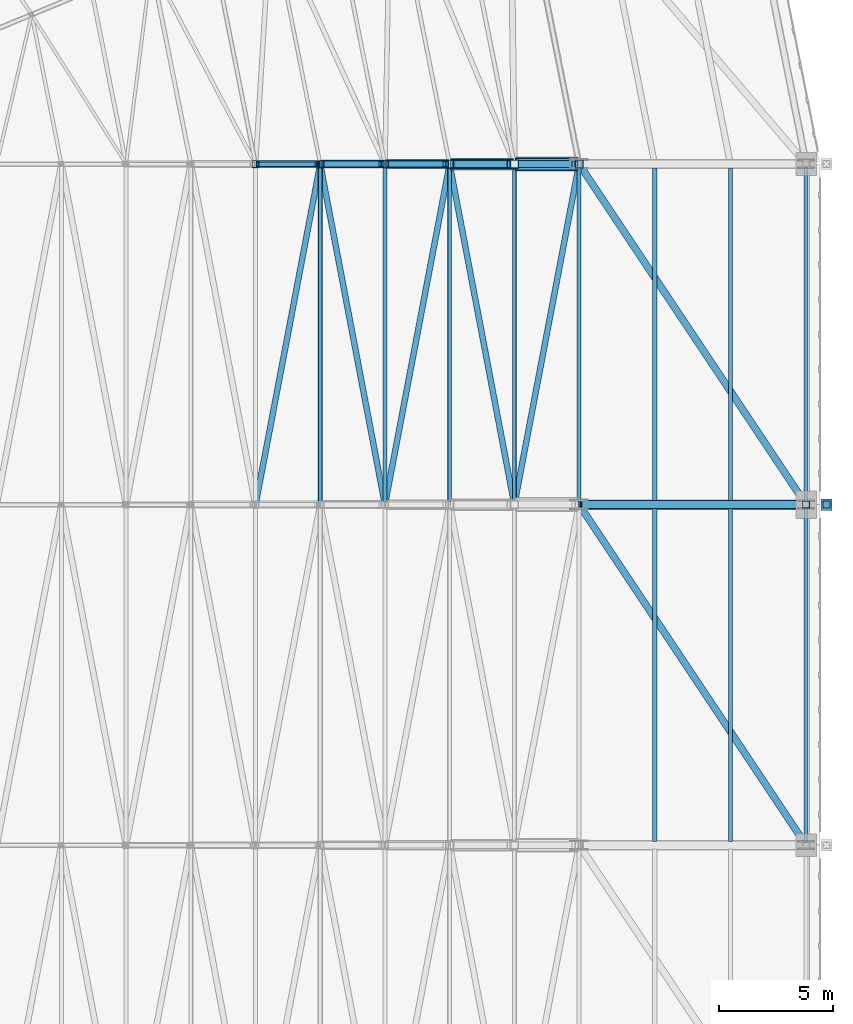
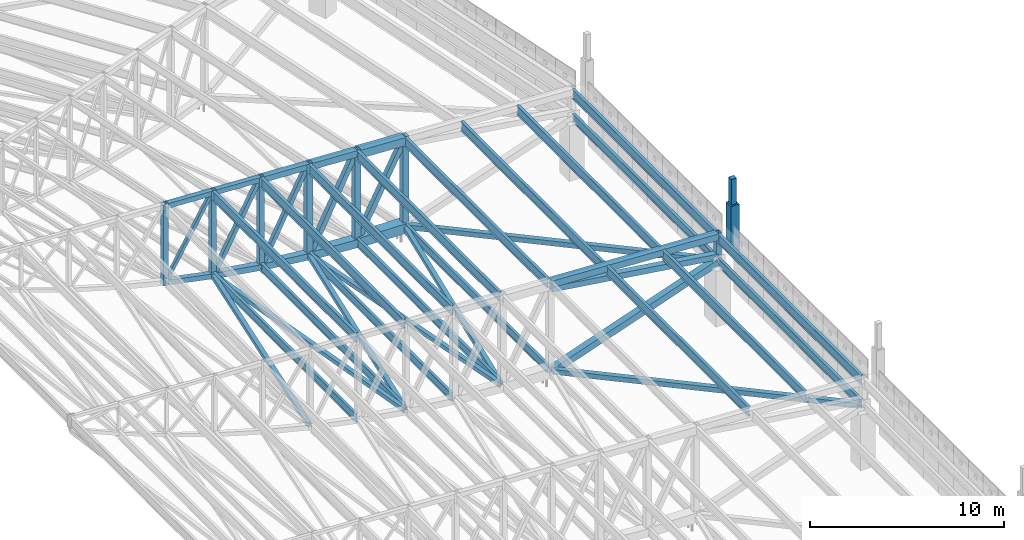
# One storey, part 97 of 278: 33 members, 19 beams.
"""IFC4 building model written with IfcOpenShell, lengths in metres."""

from ifc_helpers import new_model, si_unit, direction, frame, origin, origin_2d, place, context, subcontext, project, spatial, rectangle, hollow_rectangle, i_section, extrude, material, material_profile, profile_set, type_object, element, save


model = new_model("IFC4")

# Units and contexts
model_context = context("Model", 3, precision=1e-05, world=origin(), true_north=direction((0.0, 1.0)))
body_context = subcontext(model_context, "Body", "Model", "MODEL_VIEW")
ifc_project = project(units=[si_unit("LENGTHUNIT", "METRE"), si_unit("AREAUNIT", "SQUARE_METRE"), si_unit("VOLUMEUNIT", "CUBIC_METRE"), si_unit("PLANEANGLEUNIT", "RADIAN"), si_unit("MASSUNIT", "GRAM", prefix="KILO")], contexts=[model_context])

# Site, building, storey
site_placement = place(None, origin())
site = spatial("IfcSite", under=ifc_project, at=site_placement, CompositionType="ELEMENT")
building_placement = place(site_placement, origin())
building = spatial("IfcBuilding", under=site, at=building_placement, Name="Ogive Plaza Stadium", CompositionType="ELEMENT")
storey_placement = place(building_placement, frame((0.0, 0.0, 29.0)))
storey = spatial("IfcBuildingStorey", under=building, at=storey_placement, Name="Roof", CompositionType="ELEMENT", Elevation=29.0)

# Members
ifc_material_1 = material(Name="Concrete C45/55 precast", Category="concrete")
ifc_material_profile_1 = material_profile(ifc_material_1, rectangle(XDim=0.5, YDim=0.5, at=origin_2d()), Name="RC 500x500")
ifc_profile_set_1 = profile_set([ifc_material_profile_1], Name="Concrete C45/55 precast")
member_type_1 = type_object("IfcMemberType", Name="Precast pinnacle 500x500", PredefinedType="POST", material=ifc_profile_set_1)
member_1_placement = place(storey_placement, frame((84.89990234375, 37.5, 4.0), z_axis=(0.0, 0.0, 1.0), x_axis=(0.0, 1.0, 0.0)))
element("IfcMember", 1, at=member_1_placement, inside=storey, type_object=member_type_1, Name="PINNACLE R02", PredefinedType="POST", context=body_context, shape_type="SweptSolid", body=[
    extrude(rectangle(XDim=0.5, YDim=0.5, at=origin_2d()), origin(), (0.0, 0.0, 1.0), 3.0),
])
ifc_material_2 = material(Name="Concrete C45/55 precast", Category="concrete")
ifc_material_profile_2 = material_profile(ifc_material_2, rectangle(XDim=0.300048828125, YDim=0.300048828125, at=origin_2d()), Name="RC 300x300")
ifc_profile_set_2 = profile_set([ifc_material_profile_2], Name="Concrete C45/55 precast")
member_type_2 = type_object("IfcMemberType", Name="Precast spire 300x300", PredefinedType="MEMBER", material=ifc_profile_set_2)
member_2_placement = place(storey_placement, frame((84.89990234375, 37.5, 7.0), z_axis=(0.0, 0.0, 1.0), x_axis=(0.0, 1.0, 0.0)))
element("IfcMember", 2, at=member_2_placement, inside=storey, type_object=member_type_2, Name="SPIRE R02", PredefinedType="MEMBER", context=body_context, shape_type="SweptSolid", body=[
    extrude(rectangle(XDim=0.300048828125, YDim=0.300048828125, at=origin_2d()), origin(), (0.0, 0.0, 1.0), 1.60009765625),
])
ifc_material_3 = material(Name="Steel ASTM A500 Grade C", Category="steel")
ifc_material_profile_3 = material_profile(ifc_material_3, hollow_rectangle(XDim=0.25390625, YDim=0.25390625, WallThickness=0.0087890625, at=origin_2d()), Name="HSS10X10X3/8")
ifc_profile_set_3 = profile_set([ifc_material_profile_3], Name="Steel ASTM A500 Grade C")
member_type_3 = type_object("IfcMemberType", Name="Roof plan brace HSS10X10X3/8", PredefinedType="BRACE", material=ifc_profile_set_3)
member_3_placement = place(storey_placement, frame((59.77783203125, 37.646728515625, 1.753173828125), z_axis=(0.186534960176, 0.981781820104, -0.036182403809), x_axis=(-0.982425109661, 0.186657182843, 0.0)))
element("IfcMember", 3, at=member_3_placement, inside=storey, type_object=member_type_3, Name="ROOF BRACE B01 6", PredefinedType="BRACE", context=body_context, shape_type="SweptSolid", body=[
    extrude(hollow_rectangle(XDim=0.25390625, YDim=0.25390625, WallThickness=0.0087890625, at=origin_2d()), origin(), (0.0, 0.0, 1.0), 14.9794921875),
])
member_4_placement = place(storey_placement, frame((62.6279296875, 52.353271484375, 1.20166015625), z_axis=(0.186585145076, -0.982045956233, -0.027779911508), x_axis=(0.982425109661, 0.186657182843, 0.0)))
element("IfcMember", 4, at=member_4_placement, inside=storey, type_object=member_type_3, Name="ROOF BRACE B01 7", PredefinedType="BRACE", context=body_context, shape_type="SweptSolid", body=[
    extrude(hollow_rectangle(XDim=0.25390625, YDim=0.25390625, WallThickness=0.0087890625, at=origin_2d()), origin(), (0.0, 0.0, 1.0), 14.975341796875),
])
member_5_placement = place(storey_placement, frame((65.477783203125, 37.646728515625, 0.77880859375), z_axis=(0.186639895054, 0.982268812283, -0.017706778071), x_axis=(-0.982422833867, 0.186669160538, 0.0)))
element("IfcMember", 5, at=member_5_placement, inside=storey, type_object=member_type_3, Name="ROOF BRACE B01 8", PredefinedType="BRACE", context=body_context, shape_type="SweptSolid", body=[
    extrude(hollow_rectangle(XDim=0.25390625, YDim=0.25390625, WallThickness=0.0087890625, at=origin_2d()), origin(), (0.0, 0.0, 1.0), 14.946044921875),
])
member_6_placement = place(storey_placement, frame((68.332763671875, 52.327880859375, 0.50927734375), z_axis=(0.186657320186, -0.982381109131, -0.009295226886), x_axis=(0.982423551356, 0.186665384421, 0.0)))
element("IfcMember", 6, at=member_6_placement, inside=storey, type_object=member_type_3, Name="ROOF BRACE B01 9", PredefinedType="BRACE", context=body_context, shape_type="SweptSolid", body=[
    extrude(hollow_rectangle(XDim=0.25390625, YDim=0.25390625, WallThickness=0.0087890625, at=origin_2d()), origin(), (0.0, 0.0, 1.0), 14.918701171875),
])
member_7_placement = place(storey_placement, frame((71.1826171875, 37.672119140625, 0.368408203125), z_axis=(0.186663720517, 0.982414794197, -0.004222272479), x_axis=(-0.982423551356, 0.186665384421, 0.0)))
element("IfcMember", 7, at=member_7_placement, inside=storey, type_object=member_type_3, Name="ROOF BRACE B01 10", PredefinedType="BRACE", context=body_context, shape_type="SweptSolid", body=[
    extrude(hollow_rectangle(XDim=0.25390625, YDim=0.25390625, WallThickness=0.0087890625, at=origin_2d()), origin(), (0.0, 0.0, 1.0), 14.918212890625),
])
ifc_material_4 = material(Name="Steel ASTM A500 Grade C", Category="steel")
ifc_material_profile_4 = material_profile(ifc_material_4, hollow_rectangle(XDim=0.3046875, YDim=0.3046875, WallThickness=0.0087890625, at=origin_2d()), Name="HSS12X12X3/8")
ifc_profile_set_4 = profile_set([ifc_material_profile_4], Name="Steel ASTM A500 Grade C")
member_type_4 = type_object("IfcMemberType", Name="Roof plan brace HSS12X12X3/8", PredefinedType="BRACE", material=ifc_profile_set_4)
for number, where, z_axis, x_axis, name in (
    (8, (74.158203125, 52.2626953125, 0.358642578125), (0.545096233751, -0.817651210116, 0.185247387419), (0.832052442118, 0.554696974542, 0.0), "ROOF BRACE B01 11"),
    (9, (74.158203125, 37.2626953125, 0.358642578125), (0.545096233751, -0.817651210116, 0.185247387419), (0.832052442118, 0.554696974542, 0.0), "ROOF BRACE B02 11"),
):
    element("IfcMember", number, at=place(storey_placement, frame(where, z_axis=z_axis, x_axis=x_axis)), inside=storey, type_object=member_type_4, Name=name, PredefinedType="BRACE", context=body_context, shape_type="SweptSolid", body=[
        extrude(hollow_rectangle(XDim=0.3046875, YDim=0.3046875, WallThickness=0.0087890625, at=origin_2d()), origin(), (0.0, 0.0, 1.0), 17.7958984375),
    ])
ifc_material_5 = material(Name="Steel ASTM A992 Grade 50", Category="steel")
ifc_material_profile_5 = material_profile(ifc_material_5, i_section(OverallWidth=0.1650390625, OverallDepth=0.524658203125, WebThickness=0.0087890625, FlangeThickness=0.011474609375, at=origin_2d()), Name="W21X44")
ifc_profile_set_5 = profile_set([ifc_material_profile_5], Name="Steel ASTM A992 Grade 50")
member_type_5 = type_object("IfcMemberType", Name="Roof plan strut W21X44", PredefinedType="STRUT", material=ifc_profile_set_5)
for number, where, z_axis, x_axis, name in (
    (10, (62.60009765625, 52.377685546875, 1.205810546875), (0.0, -1.0, 0.0), (1.0, 0.0, 0.0), "ROOF STRUT B01 6"),
    (11, (65.449951171875, 52.377685546875, 0.781494140625), (0.0, -1.0, 0.0), (1.0, 0.0, 0.0), "ROOF STRUT B01 7"),
):
    element("IfcMember", number, at=place(storey_placement, frame(where, z_axis=z_axis, x_axis=x_axis)), inside=storey, type_object=member_type_5, Name=name, PredefinedType="STRUT", context=body_context, shape_type="SweptSolid", body=[
        extrude(i_section(OverallWidth=0.1650390625, OverallDepth=0.524658203125, WebThickness=0.0087890625, FlangeThickness=0.011474609375, at=origin_2d()), origin(), (0.0, 0.0, 1.0), 14.75537109375),
    ])
for number, where, z_axis, x_axis, name in (
    (12, (68.300048828125, 52.352294921875, 0.510986328125), (0.0, -1.0, 0.0), (1.0, 0.0, 0.0), "ROOF STRUT B01 8"),
    (13, (71.14990234375, 52.352294921875, 0.369140625), (0.0, -1.0, 0.0), (1.0, 0.0, 0.0), "ROOF STRUT B01 9"),
    (14, (74.0, 52.352294921875, 0.3046875), (0.0, -1.0, 0.0), (1.0, 0.0, 0.0), "ROOF STRUT B01 10"),
):
    element("IfcMember", number, at=place(storey_placement, frame(where, z_axis=z_axis, x_axis=x_axis)), inside=storey, type_object=member_type_5, Name=name, PredefinedType="STRUT", context=body_context, shape_type="SweptSolid", body=[
        extrude(i_section(OverallWidth=0.1650390625, OverallDepth=0.524658203125, WebThickness=0.0087890625, FlangeThickness=0.011474609375, at=origin_2d()), origin(), (0.0, 0.0, 1.0), 14.70458984375),
    ])
for number, where, z_axis, x_axis, name in (
    (15, (84.0, 52.377685546875, 3.703125), (0.0, -1.0, 0.0), (1.0, 0.0, 0.0), "ROOF STRUT B01 11"),
    (16, (84.0, 37.377685546875, 3.703125), (0.0, -1.0, 0.0), (1.0, 0.0, 0.0), "ROOF STRUT B02 11"),
):
    element("IfcMember", number, at=place(storey_placement, frame(where, z_axis=z_axis, x_axis=x_axis)), inside=storey, type_object=member_type_5, Name=name, PredefinedType="STRUT", context=body_context, shape_type="SweptSolid", body=[
        extrude(i_section(OverallWidth=0.1650390625, OverallDepth=0.524658203125, WebThickness=0.0087890625, FlangeThickness=0.011474609375, at=origin_2d()), origin(), (0.0, 0.0, 1.0), 14.75537109375),
    ])
ifc_material_6 = material(Name="Steel ASTM A992 Grade 50", Category="steel")
ifc_material_profile_6 = material_profile(ifc_material_6, i_section(OverallWidth=0.177978515625, OverallDepth=0.5986328125, WebThickness=0.010009765625, FlangeThickness=0.012939453125, at=origin_2d()), Name="W24X55")
ifc_profile_set_6 = profile_set([ifc_material_profile_6], Name="Steel ASTM A992 Grade 50")
member_type_6 = type_object("IfcMemberType", Name="Roof purlin W24X55", PredefinedType="PURLIN", material=ifc_profile_set_6)
for number, where, z_axis, x_axis, name in (
    (17, (62.60009765625, 52.377685546875, 6.270751953125), (0.0, -1.0, 0.0), (1.0, 0.0, 0.0), "ROOF PURLIN B01 6"),
    (18, (65.449951171875, 52.377685546875, 6.128173828125), (0.0, -1.0, 0.0), (1.0, 0.0, 0.0), "ROOF PURLIN B01 7"),
):
    element("IfcMember", number, at=place(storey_placement, frame(where, z_axis=z_axis, x_axis=x_axis)), inside=storey, type_object=member_type_6, Name=name, PredefinedType="PURLIN", context=body_context, shape_type="SweptSolid", body=[
        extrude(i_section(OverallWidth=0.177978515625, OverallDepth=0.5986328125, WebThickness=0.010009765625, FlangeThickness=0.012939453125, at=origin_2d()), origin(), (0.0, 0.0, 1.0), 14.75537109375),
    ])
for number, where, z_axis, x_axis, name in (
    (19, (68.300048828125, 52.352294921875, 5.985595703125), (0.0, -1.0, 0.0), (1.0, 0.0, 0.0), "ROOF PURLIN B01 8"),
    (20, (71.14990234375, 52.352294921875, 5.84326171875), (0.0, -1.0, 0.0), (1.0, 0.0, 0.0), "ROOF PURLIN B01 9"),
    (21, (74.0, 52.352294921875, 5.70068359375), (0.0, -1.0, 0.0), (1.0, 0.0, 0.0), "ROOF PURLIN B01 10"),
):
    element("IfcMember", number, at=place(storey_placement, frame(where, z_axis=z_axis, x_axis=x_axis)), inside=storey, type_object=member_type_6, Name=name, PredefinedType="PURLIN", context=body_context, shape_type="SweptSolid", body=[
        extrude(i_section(OverallWidth=0.177978515625, OverallDepth=0.5986328125, WebThickness=0.010009765625, FlangeThickness=0.012939453125, at=origin_2d()), origin(), (0.0, 0.0, 1.0), 14.70458984375),
    ])
for number, where, z_axis, x_axis, name in (
    (22, (77.333251953125, 52.326904296875, 5.533935546875), (0.0, -1.0, 0.0), (1.0, 0.0, 0.0), "ROOF PURLIN B01 11"),
    (23, (80.666748046875, 52.326904296875, 5.367431640625), (0.0, -1.0, 0.0), (1.0, 0.0, 0.0), "ROOF PURLIN B01 12"),
):
    element("IfcMember", number, at=place(storey_placement, frame(where, z_axis=z_axis, x_axis=x_axis)), inside=storey, type_object=member_type_6, Name=name, PredefinedType="PURLIN", context=body_context, shape_type="SweptSolid", body=[
        extrude(i_section(OverallWidth=0.177978515625, OverallDepth=0.5986328125, WebThickness=0.010009765625, FlangeThickness=0.012939453125, at=origin_2d()), origin(), (0.0, 0.0, 1.0), 14.65380859375),
    ])
member_8_placement = place(storey_placement, frame((84.0, 52.377685546875, 5.20068359375), z_axis=(0.0, -1.0, 0.0), x_axis=(1.0, 0.0, 0.0)))
element("IfcMember", 24, at=member_8_placement, inside=storey, type_object=member_type_6, Name="ROOF PURLIN B01 13", PredefinedType="PURLIN", context=body_context, shape_type="SweptSolid", body=[
    extrude(i_section(OverallWidth=0.177978515625, OverallDepth=0.5986328125, WebThickness=0.010009765625, FlangeThickness=0.012939453125, at=origin_2d()), origin(), (0.0, 0.0, 1.0), 14.75537109375),
])
for number, where, z_axis, x_axis, name in (
    (25, (77.333251953125, 37.326904296875, 5.533935546875), (0.0, -1.0, 0.0), (1.0, 0.0, 0.0), "ROOF PURLIN B02 11"),
    (26, (80.666748046875, 37.326904296875, 5.367431640625), (0.0, -1.0, 0.0), (1.0, 0.0, 0.0), "ROOF PURLIN B02 12"),
):
    element("IfcMember", number, at=place(storey_placement, frame(where, z_axis=z_axis, x_axis=x_axis)), inside=storey, type_object=member_type_6, Name=name, PredefinedType="PURLIN", context=body_context, shape_type="SweptSolid", body=[
        extrude(i_section(OverallWidth=0.177978515625, OverallDepth=0.5986328125, WebThickness=0.010009765625, FlangeThickness=0.012939453125, at=origin_2d()), origin(), (0.0, 0.0, 1.0), 14.65380859375),
    ])
member_9_placement = place(storey_placement, frame((84.0, 37.377685546875, 5.20068359375), z_axis=(0.0, -1.0, 0.0), x_axis=(1.0, 0.0, 0.0)))
element("IfcMember", 27, at=member_9_placement, inside=storey, type_object=member_type_6, Name="ROOF PURLIN B02 13", PredefinedType="PURLIN", context=body_context, shape_type="SweptSolid", body=[
    extrude(i_section(OverallWidth=0.177978515625, OverallDepth=0.5986328125, WebThickness=0.010009765625, FlangeThickness=0.012939453125, at=origin_2d()), origin(), (0.0, 0.0, 1.0), 14.75537109375),
])

# Beams
ifc_material_7 = material(Name="Steel ASTM A500 Grade C", Category="steel")
ifc_material_profile_7 = material_profile(ifc_material_7, hollow_rectangle(XDim=0.406494140625, YDim=0.406494140625, WallThickness=0.0146484375, at=origin_2d()), Name="HSS16X16X5/8")
ifc_profile_set_7 = profile_set([ifc_material_profile_7], Name="Steel ASTM A500 Grade C")
beam_type_1 = type_object("IfcBeamType", Name="Roof truss back-span bottom chord HSS16X16X5/8", PredefinedType="BEAM", material=ifc_profile_set_7)
beam_1_placement = place(storey_placement, frame((74.050048828125, 37.5, 0.232666015625), z_axis=(0.943851085966, 0.0, 0.330371196567), x_axis=(0.0, 1.0, 0.0)))
element("IfcBeam", 28, at=beam_1_placement, inside=storey, type_object=beam_type_1, Name="ROOF TRUSS T02 BOTTOM CHORD 11", PredefinedType="BEAM", context=body_context, shape_type="SweptSolid", body=[
    extrude(hollow_rectangle(XDim=0.406494140625, YDim=0.406494140625, WallThickness=0.0146484375, at=origin_2d()), origin(), (0.0, 0.0, 1.0), 10.470703125),
])
ifc_material_8 = material(Name="Steel ASTM A500 Grade C", Category="steel")
ifc_material_profile_8 = material_profile(ifc_material_8, hollow_rectangle(XDim=0.406494140625, YDim=0.406494140625, WallThickness=0.0146484375, at=origin_2d()), Name="HSS16X16X5/8")
ifc_profile_set_8 = profile_set([ifc_material_profile_8], Name="Steel ASTM A500 Grade C")
beam_type_2 = type_object("IfcBeamType", Name="Roof truss back-span top chord HSS16X16X5/8", PredefinedType="BEAM", material=ifc_profile_set_8)
beam_2_placement = place(storey_placement, frame((74.050048828125, 37.5, 5.7939453125), z_axis=(0.998752953021, 0.0, -0.049925332571), x_axis=(0.0, 1.0, 0.0)))
element("IfcBeam", 29, at=beam_2_placement, inside=storey, type_object=beam_type_2, Name="ROOF TRUSS T02 TOP CHORD 11", PredefinedType="BEAM", context=body_context, shape_type="SweptSolid", body=[
    extrude(hollow_rectangle(XDim=0.406494140625, YDim=0.406494140625, WallThickness=0.0146484375, at=origin_2d()), origin(), (0.0, 0.0, 1.0), 9.912353515625),
])

# Member
ifc_material_9 = material(Name="Steel ASTM A500 Grade C", Category="steel")
ifc_material_profile_9 = material_profile(ifc_material_9, hollow_rectangle(XDim=0.355712890625, YDim=0.355712890625, WallThickness=0.0146484375, at=origin_2d()), Name="HSS14X14X5/8")
ifc_profile_set_9 = profile_set([ifc_material_profile_9], Name="Steel ASTM A500 Grade C")
member_type_7 = type_object("IfcMemberType", Name="Roof truss back-stay HSS14X14X5/8", PredefinedType="BRACE", material=ifc_profile_set_9)
member_10_placement = place(storey_placement, frame((74.093017578125, 37.5, 5.45654296875), z_axis=(0.989844100519, 0.0, -0.142157154826), x_axis=(0.0, 1.0, 0.0)))
element("IfcMember", 30, at=member_10_placement, inside=storey, type_object=member_type_7, Name="BACK-STAY T02", PredefinedType="BRACE", context=body_context, shape_type="SweptSolid", body=[
    extrude(hollow_rectangle(XDim=0.355712890625, YDim=0.355712890625, WallThickness=0.0146484375, at=origin_2d()), origin(), (0.0, 0.0, 1.0), 9.9404296875),
])

# Beams
ifc_material_10 = material(Name="Steel ASTM A500 Grade C", Category="steel")
ifc_material_profile_10 = material_profile(ifc_material_10, hollow_rectangle(XDim=0.3046875, YDim=0.3046875, WallThickness=0.0146484375, at=origin_2d()), Name="HSS12X12X5/8")
ifc_profile_set_10 = profile_set([ifc_material_profile_10], Name="Steel ASTM A500 Grade C")
beam_type_3 = type_object("IfcBeamType", Name="Roof truss bottom chord HSS12X12X5/8", PredefinedType="BEAM", material=ifc_profile_set_10)
beam_3_placement = place(storey_placement, frame((59.800048828125, 52.5, 1.751708984375), z_axis=(0.980021250437, 0.0, -0.19889280704), x_axis=(0.0, 1.0, 0.0)))
element("IfcBeam", 31, at=beam_3_placement, inside=storey, type_object=beam_type_3, Name="ROOF TRUSS T01 BOTTOM CHORD 6", PredefinedType="BEAM", context=body_context, shape_type="SweptSolid", body=[
    extrude(hollow_rectangle(XDim=0.3046875, YDim=0.3046875, WallThickness=0.0146484375, at=origin_2d()), origin(), (0.0, 0.0, 1.0), 2.80615234375),
])
ifc_material_11 = material(Name="Steel ASTM A500 Grade C", Category="steel")
ifc_material_profile_11 = material_profile(ifc_material_11, hollow_rectangle(XDim=0.355712890625, YDim=0.355712890625, WallThickness=0.0146484375, at=origin_2d()), Name="HSS14X14X5/8")
ifc_profile_set_11 = profile_set([ifc_material_profile_11], Name="Steel ASTM A500 Grade C")
beam_type_4 = type_object("IfcBeamType", Name="Roof truss bottom chord HSS14X14X5/8", PredefinedType="BEAM", material=ifc_profile_set_11)
beam_4_placement = place(storey_placement, frame((62.64990234375, 52.5, 1.2001953125), z_axis=(0.987770074518, 0.0, -0.155917541947), x_axis=(0.0, 1.0, 0.0)))
element("IfcBeam", 32, at=beam_4_placement, inside=storey, type_object=beam_type_4, Name="ROOF TRUSS T01 BOTTOM CHORD 7", PredefinedType="BEAM", context=body_context, shape_type="SweptSolid", body=[
    extrude(hollow_rectangle(XDim=0.355712890625, YDim=0.355712890625, WallThickness=0.0146484375, at=origin_2d()), origin(), (0.0, 0.0, 1.0), 2.783935546875),
])
ifc_material_12 = material(Name="Steel ASTM A500 Grade C", Category="steel")
ifc_material_profile_12 = material_profile(ifc_material_12, hollow_rectangle(XDim=0.406494140625, YDim=0.406494140625, WallThickness=0.0146484375, at=origin_2d()), Name="HSS16X16X5/8")
ifc_profile_set_12 = profile_set([ifc_material_profile_12], Name="Steel ASTM A500 Grade C")
beam_type_5 = type_object("IfcBeamType", Name="Roof truss bottom chord HSS16X16X5/8", PredefinedType="BEAM", material=ifc_profile_set_12)
beam_5_placement = place(storey_placement, frame((65.5, 52.5, 0.777099609375), z_axis=(0.993703844406, 0.0, -0.112038696946), x_axis=(0.0, 1.0, 0.0)))
element("IfcBeam", 33, at=beam_5_placement, inside=storey, type_object=beam_type_5, Name="ROOF TRUSS T01 BOTTOM CHORD 8", PredefinedType="BEAM", context=body_context, shape_type="SweptSolid", body=[
    extrude(hollow_rectangle(XDim=0.406494140625, YDim=0.406494140625, WallThickness=0.0146484375, at=origin_2d()), origin(), (0.0, 0.0, 1.0), 2.767333984375),
])
ifc_material_13 = material(Name="Steel ASTM A500 Grade C", Category="steel")
ifc_material_profile_13 = material_profile(ifc_material_13, hollow_rectangle(XDim=0.508056640625, YDim=0.508056640625, WallThickness=0.0146484375, at=origin_2d()), Name="HSS20X20X5/8")
ifc_profile_set_13 = profile_set([ifc_material_profile_13], Name="Steel ASTM A500 Grade C")
beam_type_6 = type_object("IfcBeamType", Name="Roof truss bottom chord HSS20X20X5/8", PredefinedType="BEAM", material=ifc_profile_set_13)
beam_6_placement = place(storey_placement, frame((68.35009765625, 52.5, 0.50830078125), z_axis=(0.997719620387, 0.0, -0.06749488199), x_axis=(0.0, 1.0, 0.0)))
element("IfcBeam", 34, at=beam_6_placement, inside=storey, type_object=beam_type_6, Name="ROOF TRUSS T01 BOTTOM CHORD 9", PredefinedType="BEAM", context=body_context, shape_type="SweptSolid", body=[
    extrude(hollow_rectangle(XDim=0.508056640625, YDim=0.508056640625, WallThickness=0.0146484375, at=origin_2d()), origin(), (0.0, 0.0, 1.0), 2.75634765625),
])
ifc_material_14 = material(Name="Steel ASTM A500 Grade C", Category="steel")
ifc_material_profile_14 = material_profile(ifc_material_14, hollow_rectangle(XDim=0.609619140625, YDim=0.609619140625, WallThickness=0.0146484375, at=origin_2d()), Name="HSS24X24X5/8")
ifc_profile_set_14 = profile_set([ifc_material_profile_14], Name="Steel ASTM A500 Grade C")
beam_type_7 = type_object("IfcBeamType", Name="Roof truss bottom chord HSS24X24X5/8", PredefinedType="BEAM", material=ifc_profile_set_14)
beam_7_placement = place(storey_placement, frame((71.199951171875, 52.5, 0.367919921875), z_axis=(0.999745852076, 0.0, -0.022543984946), x_axis=(0.0, 1.0, 0.0)))
element("IfcBeam", 35, at=beam_7_placement, inside=storey, type_object=beam_type_7, Name="ROOF TRUSS T01 BOTTOM CHORD 10", PredefinedType="BEAM", context=body_context, shape_type="SweptSolid", body=[
    extrude(hollow_rectangle(XDim=0.609619140625, YDim=0.609619140625, WallThickness=0.0146484375, at=origin_2d()), origin(), (0.0, 0.0, 1.0), 2.750732421875),
])

# Members
ifc_material_15 = material(Name="Steel ASTM A500 Grade C", Category="steel")
ifc_material_profile_15 = material_profile(ifc_material_15, hollow_rectangle(XDim=0.25390625, YDim=0.25390625, WallThickness=0.0087890625, at=origin_2d()), Name="HSS10X10X3/8")
ifc_profile_set_15 = profile_set([ifc_material_profile_15], Name="Steel ASTM A500 Grade C")
member_type_8 = type_object("IfcMemberType", Name="Roof truss diagonal HSS10X10X3/8", PredefinedType="BRACE", material=ifc_profile_set_15)
member_11_placement = place(storey_placement, frame((62.75244140625, 52.5, 1.383544921875), z_axis=(0.473127942579, 0.0, 0.880993728667), x_axis=(0.0, 1.0, 0.0)))
element("IfcMember", 36, at=member_11_placement, inside=storey, type_object=member_type_8, Name="ROOF TRUSS T01 DIAGONAL 7", PredefinedType="BRACE", context=body_context, shape_type="SweptSolid", body=[
    extrude(hollow_rectangle(XDim=0.25390625, YDim=0.25390625, WallThickness=0.0087890625, at=origin_2d()), origin(), (0.0, 0.0, 1.0), 5.37939453125),
])
member_12_placement = place(storey_placement, frame((65.602294921875, 52.5, 0.984619140625), z_axis=(0.454062843231, 0.0, 0.890969659639), x_axis=(0.0, 1.0, 0.0)))
element("IfcMember", 37, at=member_12_placement, inside=storey, type_object=member_type_8, Name="ROOF TRUSS T01 DIAGONAL 8", PredefinedType="BRACE", context=body_context, shape_type="SweptSolid", body=[
    extrude(hollow_rectangle(XDim=0.25390625, YDim=0.25390625, WallThickness=0.0087890625, at=origin_2d()), origin(), (0.0, 0.0, 1.0), 5.550048828125),
])
ifc_material_16 = material(Name="Steel ASTM A500 Grade C", Category="steel")
ifc_material_profile_16 = material_profile(ifc_material_16, hollow_rectangle(XDim=0.3046875, YDim=0.3046875, WallThickness=0.0087890625, at=origin_2d()), Name="HSS12X12X3/8")
ifc_profile_set_16 = profile_set([ifc_material_profile_16], Name="Steel ASTM A500 Grade C")
member_type_9 = type_object("IfcMemberType", Name="Roof truss diagonal HSS12X12X3/8", PredefinedType="BRACE", material=ifc_profile_set_16)
member_13_placement = place(storey_placement, frame((68.477783203125, 52.5, 0.764892578125), z_axis=(0.448477330766, 0.0, 0.893794206621), x_axis=(0.0, 1.0, 0.0)))
element("IfcMember", 38, at=member_13_placement, inside=storey, type_object=member_type_9, Name="ROOF TRUSS T01 DIAGONAL 9", PredefinedType="BRACE", context=body_context, shape_type="SweptSolid", body=[
    extrude(hollow_rectangle(XDim=0.3046875, YDim=0.3046875, WallThickness=0.0087890625, at=origin_2d()), origin(), (0.0, 0.0, 1.0), 5.56201171875),
])
member_14_placement = place(storey_placement, frame((71.327880859375, 52.5, 0.673828125), z_axis=(0.459750963822, 0.0, 0.888047887934), x_axis=(0.0, 1.0, 0.0)))
element("IfcMember", 39, at=member_14_placement, inside=storey, type_object=member_type_9, Name="ROOF TRUSS T01 DIAGONAL 10", PredefinedType="BRACE", context=body_context, shape_type="SweptSolid", body=[
    extrude(hollow_rectangle(XDim=0.3046875, YDim=0.3046875, WallThickness=0.0087890625, at=origin_2d()), origin(), (0.0, 0.0, 1.0), 5.425537109375),
])
ifc_material_17 = material(Name="Steel ASTM A500 Grade C", Category="steel")
ifc_material_profile_17 = material_profile(ifc_material_17, hollow_rectangle(XDim=0.203125, YDim=0.203125, WallThickness=0.0087890625, at=origin_2d()), Name="HSS8X8X3/8")
ifc_profile_set_17 = profile_set([ifc_material_profile_17], Name="Steel ASTM A500 Grade C")
member_type_10 = type_object("IfcMemberType", Name="Roof truss diagonal HSS8X8X3/8", PredefinedType="BRACE", material=ifc_profile_set_17)
member_15_placement = place(storey_placement, frame((59.90234375, 52.5, 1.9111328125), z_axis=(0.504659398762, 0.0, 0.863318534054), x_axis=(0.0, 1.0, 0.0)))
element("IfcMember", 40, at=member_15_placement, inside=storey, type_object=member_type_10, Name="ROOF TRUSS T01 DIAGONAL 6", PredefinedType="BRACE", context=body_context, shape_type="SweptSolid", body=[
    extrude(hollow_rectangle(XDim=0.203125, YDim=0.203125, WallThickness=0.0087890625, at=origin_2d()), origin(), (0.0, 0.0, 1.0), 5.043212890625),
])

# Beams
ifc_material_18 = material(Name="Steel ASTM A500 Grade C", Category="steel")
ifc_material_profile_18 = material_profile(ifc_material_18, hollow_rectangle(XDim=0.3046875, YDim=0.3046875, WallThickness=0.01171875, at=origin_2d()), Name="HSS12X12X1/2")
ifc_profile_set_18 = profile_set([ifc_material_profile_18], Name="Steel ASTM A500 Grade C")
beam_type_8 = type_object("IfcBeamType", Name="Roof truss post HSS12X12X1/2", PredefinedType="BEAM", material=ifc_profile_set_18)
beam_8_placement = place(storey_placement, frame((59.75, 52.5, 1.606201171875), z_axis=(0.0, 0.0, 1.0), x_axis=(0.0, 1.0, 0.0)))
element("IfcBeam", 41, at=beam_8_placement, inside=storey, type_object=beam_type_8, Name="ROOF TRUSS T01 POST 6", PredefinedType="BEAM", context=body_context, shape_type="SweptSolid", body=[
    extrude(hollow_rectangle(XDim=0.3046875, YDim=0.3046875, WallThickness=0.01171875, at=origin_2d()), origin(), (0.0, 0.0, 1.0), 5.106201171875),
])
beam_9_placement = place(storey_placement, frame((84.0, 37.5, 3.43994140625), z_axis=(0.0, 0.0, 1.0), x_axis=(0.0, 1.0, 0.0)))
element("IfcBeam", 42, at=beam_9_placement, inside=storey, type_object=beam_type_8, Name="ROOF TRUSS T02 POST 12", PredefinedType="BEAM", context=body_context, shape_type="SweptSolid", body=[
    extrude(hollow_rectangle(XDim=0.3046875, YDim=0.3046875, WallThickness=0.01171875, at=origin_2d()), origin(), (0.0, 0.0, 1.0), 2.06005859375),
])
ifc_material_19 = material(Name="Steel ASTM A500 Grade C", Category="steel")
ifc_material_profile_19 = material_profile(ifc_material_19, hollow_rectangle(XDim=0.3046875, YDim=0.3046875, WallThickness=0.0146484375, at=origin_2d()), Name="HSS12X12X5/8")
ifc_profile_set_19 = profile_set([ifc_material_profile_19], Name="Steel ASTM A500 Grade C")
beam_type_9 = type_object("IfcBeamType", Name="Roof truss post HSS12X12X5/8", PredefinedType="BEAM", material=ifc_profile_set_19)
beam_10_placement = place(storey_placement, frame((62.60009765625, 52.5, 1.028076171875), z_axis=(0.0, 0.0, 1.0), x_axis=(0.0, 1.0, 0.0)))
element("IfcBeam", 43, at=beam_10_placement, inside=storey, type_object=beam_type_9, Name="ROOF TRUSS T01 POST 7", PredefinedType="BEAM", context=body_context, shape_type="SweptSolid", body=[
    extrude(hollow_rectangle(XDim=0.3046875, YDim=0.3046875, WallThickness=0.0146484375, at=origin_2d()), origin(), (0.0, 0.0, 1.0), 5.5419921875),
])
beam_11_placement = place(storey_placement, frame((65.449951171875, 52.5, 0.578369140625), z_axis=(0.0, 0.0, 1.0), x_axis=(0.0, 1.0, 0.0)))
element("IfcBeam", 44, at=beam_11_placement, inside=storey, type_object=beam_type_9, Name="ROOF TRUSS T01 POST 8", PredefinedType="BEAM", context=body_context, shape_type="SweptSolid", body=[
    extrude(hollow_rectangle(XDim=0.3046875, YDim=0.3046875, WallThickness=0.0146484375, at=origin_2d()), origin(), (0.0, 0.0, 1.0), 5.84912109375),
])
ifc_material_20 = material(Name="Steel ASTM A500 Grade C", Category="steel")
ifc_material_profile_20 = material_profile(ifc_material_20, hollow_rectangle(XDim=0.355712890625, YDim=0.355712890625, WallThickness=0.0146484375, at=origin_2d()), Name="HSS14X14X5/8")
ifc_profile_set_20 = profile_set([ifc_material_profile_20], Name="Steel ASTM A500 Grade C")
beam_type_10 = type_object("IfcBeamType", Name="Roof truss post HSS14X14X5/8", PredefinedType="BEAM", material=ifc_profile_set_20)
beam_12_placement = place(storey_placement, frame((68.300048828125, 52.5, 0.257080078125), z_axis=(0.0, 0.0, 1.0), x_axis=(0.0, 1.0, 0.0)))
element("IfcBeam", 45, at=beam_12_placement, inside=storey, type_object=beam_type_10, Name="ROOF TRUSS T01 POST 9", PredefinedType="BEAM", context=body_context, shape_type="SweptSolid", body=[
    extrude(hollow_rectangle(XDim=0.355712890625, YDim=0.355712890625, WallThickness=0.0146484375, at=origin_2d()), origin(), (0.0, 0.0, 1.0), 6.02783203125),
])
beam_13_placement = place(storey_placement, frame((71.14990234375, 52.5, 0.064208984375), z_axis=(0.0, 0.0, 1.0), x_axis=(0.0, 1.0, 0.0)))
element("IfcBeam", 46, at=beam_13_placement, inside=storey, type_object=beam_type_10, Name="ROOF TRUSS T01 POST 10", PredefinedType="BEAM", context=body_context, shape_type="SweptSolid", body=[
    extrude(hollow_rectangle(XDim=0.355712890625, YDim=0.355712890625, WallThickness=0.0146484375, at=origin_2d()), origin(), (0.0, 0.0, 1.0), 6.078369140625),
])
beam_14_placement = place(storey_placement, frame((74.0, 52.5, -0.06005859375), z_axis=(0.0, 0.0, 1.0), x_axis=(0.0, 1.0, 0.0)))
element("IfcBeam", 47, at=beam_14_placement, inside=storey, type_object=beam_type_10, Name="ROOF TRUSS T01 POST 11", PredefinedType="BEAM", context=body_context, shape_type="SweptSolid", body=[
    extrude(hollow_rectangle(XDim=0.355712890625, YDim=0.355712890625, WallThickness=0.0146484375, at=origin_2d()), origin(), (0.0, 0.0, 1.0), 6.06005859375),
])
ifc_material_21 = material(Name="Steel ASTM A500 Grade C", Category="steel")
ifc_material_profile_21 = material_profile(ifc_material_21, hollow_rectangle(XDim=0.3046875, YDim=0.3046875, WallThickness=0.01171875, at=origin_2d()), Name="HSS12X12X1/2")
ifc_profile_set_21 = profile_set([ifc_material_profile_21], Name="Steel ASTM A500 Grade C")
beam_type_11 = type_object("IfcBeamType", Name="Roof truss top chord HSS12X12X1/2", PredefinedType="BEAM", material=ifc_profile_set_21)
beam_15_placement = place(storey_placement, frame((62.64990234375, 52.5, 6.414794921875), z_axis=(0.998753223187, 0.0, -0.049919927615), x_axis=(0.0, 1.0, 0.0)))
element("IfcBeam", 48, at=beam_15_placement, inside=storey, type_object=beam_type_11, Name="ROOF TRUSS T01 TOP CHORD 7", PredefinedType="BEAM", context=body_context, shape_type="SweptSolid", body=[
    extrude(hollow_rectangle(XDim=0.3046875, YDim=0.3046875, WallThickness=0.01171875, at=origin_2d()), origin(), (0.0, 0.0, 1.0), 2.75341796875),
])
ifc_material_22 = material(Name="Steel ASTM A500 Grade C", Category="steel")
ifc_material_profile_22 = material_profile(ifc_material_22, hollow_rectangle(XDim=0.3046875, YDim=0.3046875, WallThickness=0.0087890625, at=origin_2d()), Name="HSS12X12X3/8")
ifc_profile_set_22 = profile_set([ifc_material_profile_22], Name="Steel ASTM A500 Grade C")
beam_type_12 = type_object("IfcBeamType", Name="Roof truss top chord HSS12X12X3/8", PredefinedType="BEAM", material=ifc_profile_set_22)
beam_16_placement = place(storey_placement, frame((59.800048828125, 52.5, 6.557373046875), z_axis=(0.998753223187, 0.0, -0.049919927615), x_axis=(0.0, 1.0, 0.0)))
element("IfcBeam", 49, at=beam_16_placement, inside=storey, type_object=beam_type_12, Name="ROOF TRUSS T01 TOP CHORD 6", PredefinedType="BEAM", context=body_context, shape_type="SweptSolid", body=[
    extrude(hollow_rectangle(XDim=0.3046875, YDim=0.3046875, WallThickness=0.0087890625, at=origin_2d()), origin(), (0.0, 0.0, 1.0), 2.75341796875),
])
ifc_material_23 = material(Name="Steel ASTM A500 Grade C", Category="steel")
ifc_material_profile_23 = material_profile(ifc_material_23, hollow_rectangle(XDim=0.355712890625, YDim=0.355712890625, WallThickness=0.01171875, at=origin_2d()), Name="HSS14X14X1/2")
ifc_profile_set_23 = profile_set([ifc_material_profile_23], Name="Steel ASTM A500 Grade C")
beam_type_13 = type_object("IfcBeamType", Name="Roof truss top chord HSS14X14X1/2", PredefinedType="BEAM", material=ifc_profile_set_23)
beam_17_placement = place(storey_placement, frame((65.5, 52.5, 6.2470703125), z_axis=(0.998748798523, 0.0, -0.05000837379), x_axis=(0.0, 1.0, 0.0)))
element("IfcBeam", 50, at=beam_17_placement, inside=storey, type_object=beam_type_13, Name="ROOF TRUSS T01 TOP CHORD 8", PredefinedType="BEAM", context=body_context, shape_type="SweptSolid", body=[
    extrude(hollow_rectangle(XDim=0.355712890625, YDim=0.355712890625, WallThickness=0.01171875, at=origin_2d()), origin(), (0.0, 0.0, 1.0), 2.75341796875),
])
ifc_material_24 = material(Name="Steel ASTM A500 Grade C", Category="steel")
ifc_material_profile_24 = material_profile(ifc_material_24, hollow_rectangle(XDim=0.406494140625, YDim=0.406494140625, WallThickness=0.01171875, at=origin_2d()), Name="HSS16X16X1/2")
ifc_profile_set_24 = profile_set([ifc_material_profile_24], Name="Steel ASTM A500 Grade C")
beam_type_14 = type_object("IfcBeamType", Name="Roof truss top chord HSS16X16X1/2", PredefinedType="BEAM", material=ifc_profile_set_24)
beam_18_placement = place(storey_placement, frame((68.35009765625, 52.5, 6.0791015625), z_axis=(0.998753223187, 0.0, -0.049919927615), x_axis=(0.0, 1.0, 0.0)))
element("IfcBeam", 51, at=beam_18_placement, inside=storey, type_object=beam_type_14, Name="ROOF TRUSS T01 TOP CHORD 9", PredefinedType="BEAM", context=body_context, shape_type="SweptSolid", body=[
    extrude(hollow_rectangle(XDim=0.406494140625, YDim=0.406494140625, WallThickness=0.01171875, at=origin_2d()), origin(), (0.0, 0.0, 1.0), 2.75341796875),
])
ifc_material_25 = material(Name="Steel ASTM A500 Grade C", Category="steel")
ifc_material_profile_25 = material_profile(ifc_material_25, hollow_rectangle(XDim=0.508056640625, YDim=0.508056640625, WallThickness=0.0146484375, at=origin_2d()), Name="HSS20X20X5/8")
ifc_profile_set_25 = profile_set([ifc_material_profile_25], Name="Steel ASTM A500 Grade C")
beam_type_15 = type_object("IfcBeamType", Name="Roof truss top chord HSS20X20X5/8", PredefinedType="BEAM", material=ifc_profile_set_25)
beam_19_placement = place(storey_placement, frame((71.199951171875, 52.5, 5.8857421875), z_axis=(0.998753223187, 0.0, -0.049919927615), x_axis=(0.0, 1.0, 0.0)))
element("IfcBeam", 52, at=beam_19_placement, inside=storey, type_object=beam_type_15, Name="ROOF TRUSS T01 TOP CHORD 10", PredefinedType="BEAM", context=body_context, shape_type="SweptSolid", body=[
    extrude(hollow_rectangle(XDim=0.508056640625, YDim=0.508056640625, WallThickness=0.0146484375, at=origin_2d()), origin(), (0.0, 0.0, 1.0), 2.75341796875),
])

save(model, "model.ifc")
